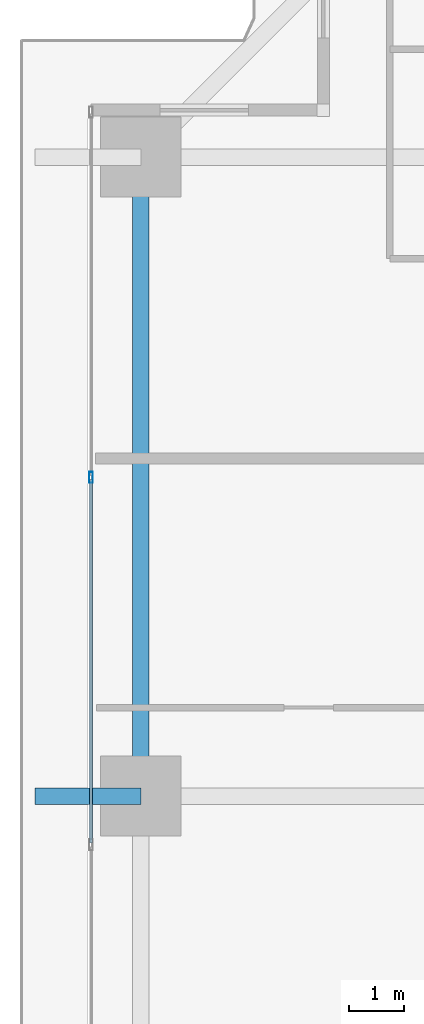
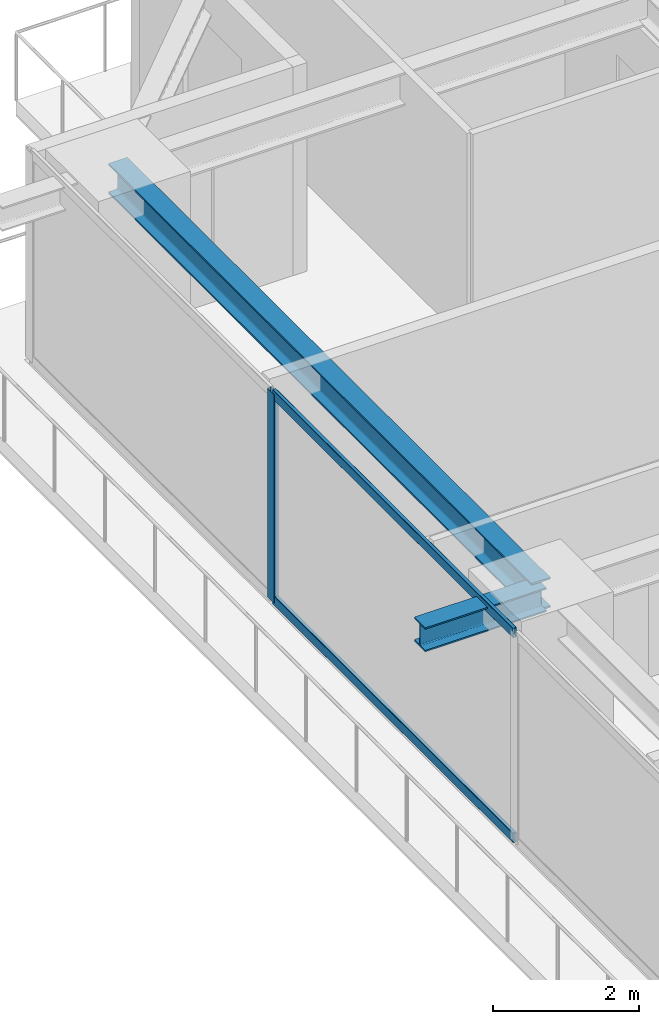
# One storey, part 16 of 39: 3 members, 2 beams, 1 element without a shape of its own.
"""IFC4 building model written with IfcOpenShell, lengths in metres."""

from ifc_helpers import new_model, si_unit, direction, frame, origin, origin_2d, place, context, subcontext, project, spatial, hollow_rectangle, i_section, extrude, source, transform, mapped, material, layer, layer_set, material_profile, profile_set, type_object, element, aggregate, save


model = new_model("IFC4")

# Units and contexts
model_context = context("Model", 3, precision=1e-05, world=origin(), true_north=direction((0.0, 1.0)))
body_context = subcontext(model_context, "Body", "Model", "MODEL_VIEW")
ifc_project = project(units=[si_unit("LENGTHUNIT", "METRE"), si_unit("AREAUNIT", "SQUARE_METRE"), si_unit("VOLUMEUNIT", "CUBIC_METRE"), si_unit("PLANEANGLEUNIT", "RADIAN"), si_unit("MASSUNIT", "GRAM", prefix="KILO")], contexts=[model_context])

# Site, building, storey
site_placement = place(None, origin())
site = spatial("IfcSite", under=ifc_project, at=site_placement, CompositionType="ELEMENT")
building_placement = place(site_placement, origin())
building = spatial("IfcBuilding", under=site, at=building_placement, Name="Serunith Strait Residences", CompositionType="ELEMENT")
storey_placement = place(building_placement, frame((0.0, 0.0, 64.199951171875)))
storey = spatial("IfcBuildingStorey", under=building, at=storey_placement, Name="L15", CompositionType="ELEMENT", Elevation=64.199951171875)

# Beams
ifc_material_1 = material(Name="Steel S355J2", Category="steel")
ifc_material_profile_1 = material_profile(ifc_material_1, i_section(OverallWidth=0.300048828125, OverallDepth=0.5, WebThickness=0.014404296875, FlangeThickness=0.028076171875, FilletRadius=0.027099609375, at=origin_2d()), Name="HEB 500")
ifc_profile_set_1 = profile_set([ifc_material_profile_1], Name="Steel S355J2")
beam_type_1 = type_object("IfcBeamType", Name="BM-HEB500", PredefinedType="BEAM", material=ifc_profile_set_1)
shared_shape_1 = source(origin(), body_context, "Body", "SweptSolid", [
    extrude(i_section(OverallWidth=0.300048828125, OverallDepth=0.5, WebThickness=0.014404296875, FlangeThickness=0.028076171875, FilletRadius=0.027099609375, at=origin_2d()), origin(), (0.0, 0.0, 1.0), 11.550048828125),
])
beam_1_placement = place(storey_placement, frame((6.89990234375, 40.949951171875, 3.237060546875), z_axis=(0.0, -1.0, 0.0), x_axis=(1.0, 0.0, 0.0)))
element("IfcBeam", 1, at=beam_1_placement, inside=storey, type_object=beam_type_1, Name="L15 Perimeter Ring Beam 13", PredefinedType="BEAM", context=body_context, shape_type="MappedRepresentation", body=[
    mapped(shared_shape_1, transform((0.0, 0.0, 0.0), scale=1.0)),
])
ifc_material_profile_2 = material_profile(ifc_material_1, i_section(OverallWidth=0.300048828125, OverallDepth=0.39990234375, WebThickness=0.013427734375, FlangeThickness=0.02392578125, FilletRadius=0.027099609375, at=origin_2d()), Name="HEB 400")
ifc_profile_set_2 = profile_set([ifc_material_profile_2], Name="Steel S355J2")
beam_type_2 = type_object("IfcBeamType", Name="BM-HEB400", PredefinedType="BEAM", material=ifc_profile_set_2)
shared_shape_2 = source(origin(), body_context, "Body", "SweptSolid", [
    extrude(i_section(OverallWidth=0.300048828125, OverallDepth=0.39990234375, WebThickness=0.013427734375, FlangeThickness=0.02392578125, FilletRadius=0.027099609375, at=origin_2d()), origin(), (0.0, 0.0, 1.0), 1.909912109375),
])
beam_2_placement = place(storey_placement, frame((6.89990234375, 29.39990234375, 3.257080078125), z_axis=(-1.0, 0.0, 0.0), x_axis=(0.0, -1.0, 0.0)))
element("IfcBeam", 2, at=beam_2_placement, inside=storey, type_object=beam_type_2, Name="L16 Cantilevered Balcony Rib TC-W3", PredefinedType="BEAM", context=body_context, shape_type="MappedRepresentation", body=[
    mapped(shared_shape_2, transform((0.0, 0.0, 0.0), scale=1.0)),
])

# Curtain wall, members
ifc_material_2 = material(Name="Pale-Champagne Anodised Aluminium", Category="aluminium")
ifc_layer = layer(ifc_material_2, 0.199951171875, Name="Pale-Champagne Anodised Aluminium")
ifc_layer_set = layer_set([ifc_layer], Name="Pale-Champagne Anodised Aluminium")
curtain_wall_type = type_object("IfcCurtainWallType", Name="CW-SYS1", PredefinedType="NOTDEFINED", material=ifc_layer_set)
curtain_wall_placement = place(storey_placement, origin())
curtain_wall = element("IfcCurtainWall", 3, at=curtain_wall_placement, inside=storey, type_object=curtain_wall_type, Name="L15 W Unitised Fritted Curtain Wall", PredefinedType="NOTDEFINED")
ifc_material_profile_3 = material_profile(ifc_material_2, hollow_rectangle(XDim=0.070068359375, YDim=0.199951171875, WallThickness=0.00390625, InnerFilletRadius=0.006103515625, OuterFilletRadius=0.010009765625, at=origin_2d()), Name="ALU 200x70x4")
ifc_profile_set_3 = profile_set([ifc_material_profile_3], Name="Pale-Champagne Anodised Aluminium")
member_type_1 = type_object("IfcMemberType", Name="CW-SYS1-MULL", PredefinedType="MULLION", material=ifc_profile_set_3)
shared_shape_3 = source(origin(), body_context, "Body", "SweptSolid", [
    extrude(hollow_rectangle(XDim=0.070068359375, YDim=0.199951171875, WallThickness=0.00390625, InnerFilletRadius=0.006103515625, OuterFilletRadius=0.010009765625, at=origin_2d()), origin(), (0.0, 0.0, 1.0), 3.47509765625),
])
member_1_placement = place(storey_placement, frame((6.0, 35.159912109375, 0.0), z_axis=(0.0, 0.0, 1.0), x_axis=(1.0, 0.0, 0.0)))
member_1 = element("IfcMember", 4, at=member_1_placement, type_object=member_type_1, Name="CW-1 mullion 2", PredefinedType="MULLION", context=body_context, shape_type="MappedRepresentation", body=[
    mapped(shared_shape_3, transform((0.0, 0.0, 0.0), scale=1.0)),
])
ifc_material_profile_4 = material_profile(ifc_material_2, hollow_rectangle(XDim=0.06005859375, YDim=0.159912109375, WallThickness=0.00341796875, InnerFilletRadius=0.00537109375, OuterFilletRadius=0.0087890625, at=origin_2d()), Name="ALU 160x60x3.5")
ifc_profile_set_4 = profile_set([ifc_material_profile_4], Name="Pale-Champagne Anodised Aluminium")
member_type_2 = type_object("IfcMemberType", Name="CW-SYS1-TRAN", PredefinedType="USERDEFINED", material=ifc_profile_set_4)
shared_shape_4 = source(origin(), body_context, "Body", "SweptSolid", [
    extrude(hollow_rectangle(XDim=0.06005859375, YDim=0.159912109375, WallThickness=0.00341796875, InnerFilletRadius=0.00537109375, OuterFilletRadius=0.0087890625, at=origin_2d()), origin(), (0.0, 0.0, 1.0), 6.570068359375),
])
member_2_placement = place(storey_placement, frame((6.0, 35.125, 0.030029296875), z_axis=(0.0, -1.0, 0.0), x_axis=(1.0, 0.0, 0.0)))
member_2 = element("IfcMember", 5, at=member_2_placement, type_object=member_type_2, Name="CW-1 transom 2.1", ObjectType="TRANSOM", PredefinedType="USERDEFINED", context=body_context, shape_type="MappedRepresentation", body=[
    mapped(shared_shape_4, transform((0.0, 0.0, 0.0), scale=1.0)),
])
member_3_placement = place(storey_placement, frame((6.0, 35.125, 3.445068359375), z_axis=(0.0, -1.0, 0.0), x_axis=(1.0, 0.0, 0.0)))
member_3 = element("IfcMember", 6, at=member_3_placement, type_object=member_type_2, Name="CW-1 transom 2.2", ObjectType="TRANSOM", PredefinedType="USERDEFINED", context=body_context, shape_type="MappedRepresentation", body=[
    mapped(shared_shape_4, transform((0.0, 0.0, 0.0), scale=1.0)),
])
aggregate(curtain_wall, [member_1, member_2, member_3])

save(model, "model.ifc")
